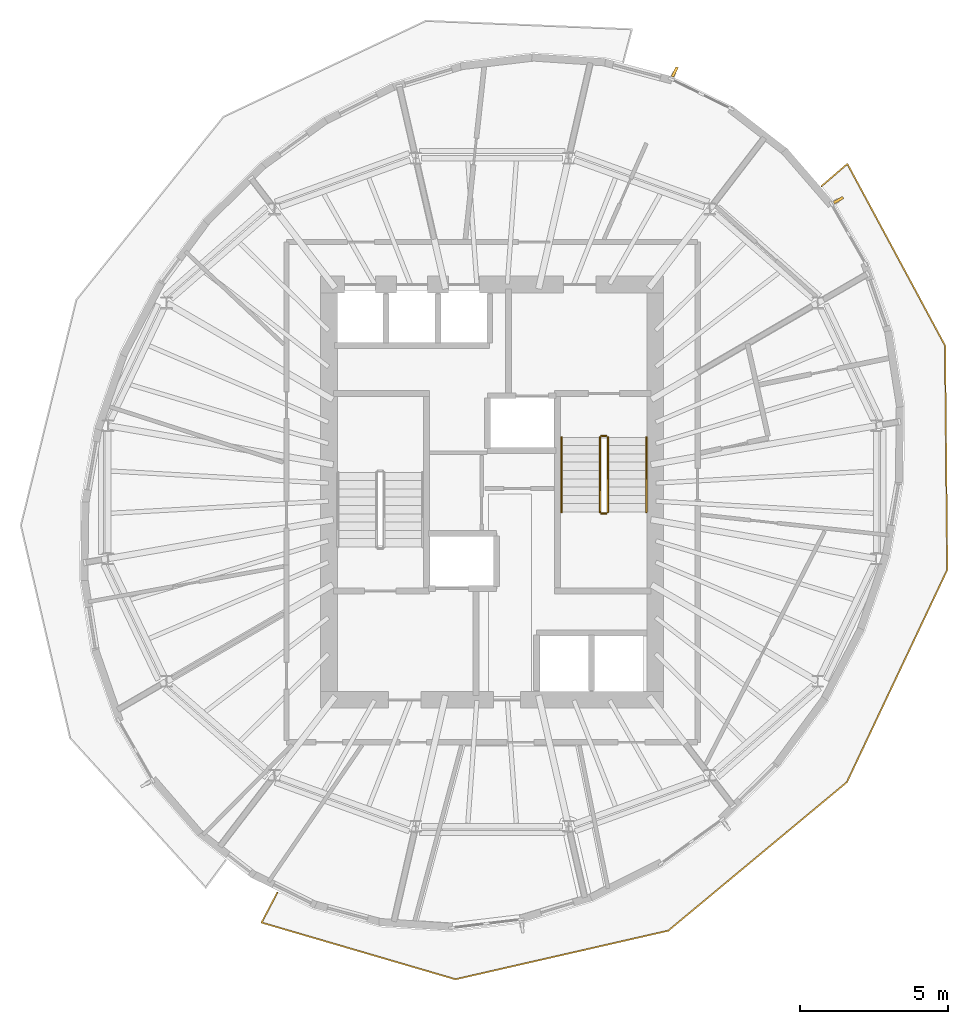
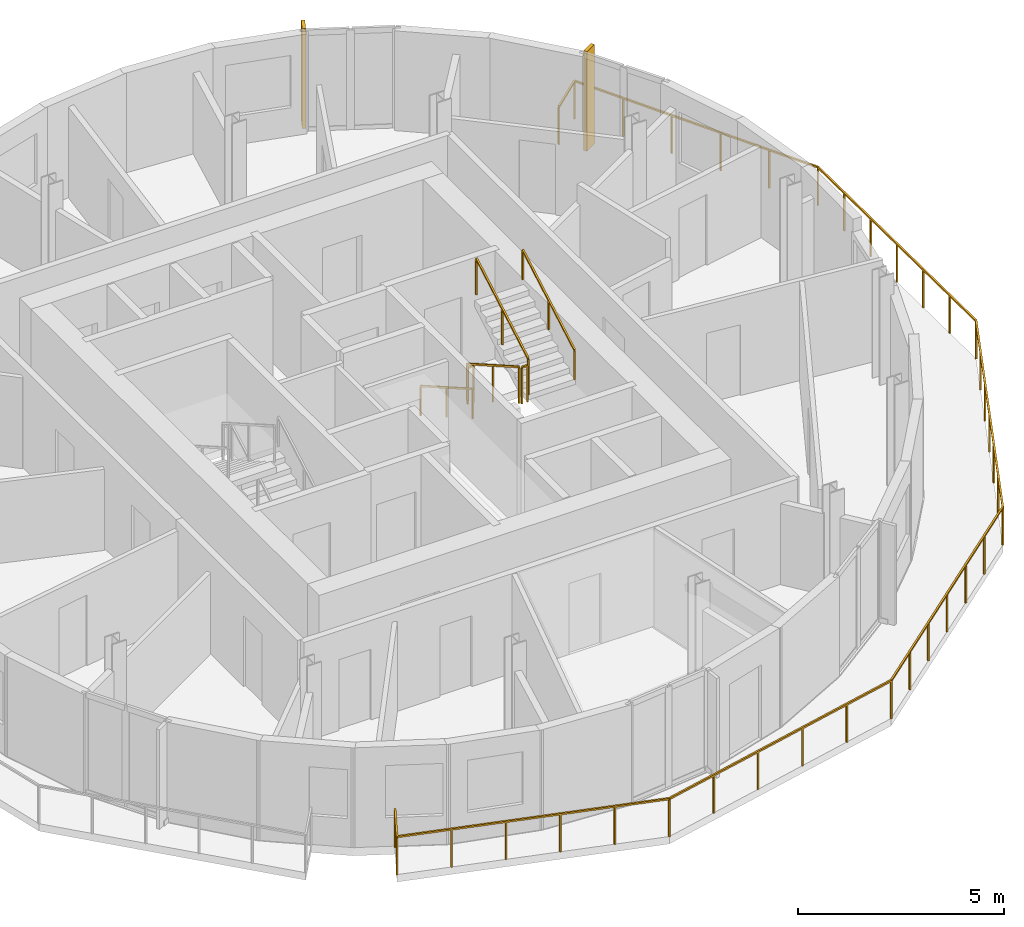
# One storey, part 9 of 9: 7 railings, 2 shading devices.
"""IFC4 building model written with IfcOpenShell, lengths in metres."""

from ifc_helpers import new_model, si_unit, direction, frame, origin, origin_2d, place, context, subcontext, project, spatial, rectangle, extrude, material, layer, layer_set, type_object, element, save


model = new_model("IFC4")

# Units and contexts
model_context = context("Model", 3, precision=1e-05, world=origin(), true_north=direction((0.0, 1.0)))
body_context = subcontext(model_context, "Body", "Model", "MODEL_VIEW")
ifc_project = project(units=[si_unit("LENGTHUNIT", "METRE"), si_unit("AREAUNIT", "SQUARE_METRE"), si_unit("VOLUMEUNIT", "CUBIC_METRE"), si_unit("PLANEANGLEUNIT", "RADIAN"), si_unit("MASSUNIT", "GRAM", prefix="KILO")], contexts=[model_context])

# Site, building, storey
site_placement = place(None, origin())
site = spatial("IfcSite", under=ifc_project, at=site_placement, CompositionType="ELEMENT")
building_placement = place(site_placement, origin())
building = spatial("IfcBuilding", under=site, at=building_placement, Name="Veldorim Arch Residences", CompositionType="ELEMENT")
storey_placement = place(building_placement, frame((0.0, 0.0, 233.43994140625)))
storey = spatial("IfcBuildingStorey", under=building, at=storey_placement, Name="L70", CompositionType="ELEMENT", Elevation=233.43994140625)

# Railings
ifc_material_1 = material(Name="Aluminium", Category="aluminium")
railing_type_1 = type_object("IfcRailingType", Name="Balcony & Terrace Laminated Glass Balustrade 1150", PredefinedType="BALUSTRADE", material=ifc_material_1)
railing_1_placement = place(storey_placement, frame((24.762939453125, 10.509765625, 0.0)))
element("IfcRailing", 1, at=railing_1_placement, inside=storey, type_object=railing_type_1, Name="L70 crescent balcony safety balustrade B", PredefinedType="BALUSTRADE", context=body_context, shape_type="SweptSolid", body=[
    extrude(rectangle(XDim=0.048095703125, YDim=0.048095703125, at=origin_2d()), frame((0.0, 0.0, 1.1259765625), z_axis=(-0.463864199594, -0.885906318035, 0.0), x_axis=(0.885906318035, -0.463864199594, 0.0)), (0.0, 0.0, 1.0), 1.14990234375),
    extrude(rectangle(XDim=0.048095703125, YDim=0.048095703125, at=origin_2d()), frame((-0.533447265625, -1.018798828125, 1.1259765625), z_axis=(0.959790908213, -0.280715892872, 0.0), x_axis=(0.280715892872, 0.959790908213, 0.0)), (0.0, 0.0, 1.0), 6.808837890625),
    extrude(rectangle(XDim=0.048095703125, YDim=0.048095703125, at=origin_2d()), frame((6.001708984375, -2.93017578125, 1.1259765625), z_axis=(0.974894330138, 0.222668015359, 0.0), x_axis=(-0.222668015359, 0.974894330138, 0.0)), (0.0, 0.0, 1.0), 7.357177734375),
    extrude(rectangle(XDim=0.048095703125, YDim=0.048095703125, at=origin_2d()), frame((13.174072265625, -1.2919921875, 1.1259765625), z_axis=(0.768984766623, 0.639267102784, 0.0), x_axis=(-0.639267102784, 0.768984766623, 0.0)), (0.0, 0.0, 1.0), 7.831298828125),
    extrude(rectangle(XDim=0.048095703125, YDim=0.048095703125, at=origin_2d()), frame((19.1962890625, 3.71435546875, 1.1259765625), z_axis=(0.427261869219, 0.904127919661, 0.0), x_axis=(-0.904127919661, 0.427261869219, 0.0)), (0.0, 0.0, 1.0), 7.919189453125),
    extrude(rectangle(XDim=0.048095703125, YDim=0.048095703125, at=origin_2d()), frame((22.579833984375, 10.874267578125, 1.1259765625), z_axis=(-0.009823407069, 0.999951749173, 0.0), x_axis=(-0.999951749173, -0.009823407069, 0.0)), (0.0, 0.0, 1.0), 7.55517578125),
    extrude(rectangle(XDim=0.048095703125, YDim=0.048095703125, at=origin_2d()), frame((22.505615234375, 18.42919921875, 1.1259765625), z_axis=(-0.473522077571, 0.880781949209, 0.0), x_axis=(-0.880781949209, -0.473522077571, 0.0)), (0.0, 0.0, 1.0), 6.956298828125),
    extrude(rectangle(XDim=0.048095703125, YDim=0.048095703125, at=origin_2d()), frame((19.211669921875, 24.55615234375, 1.1259765625), z_axis=(-0.757500465895, -0.652834622373, 0.0), x_axis=(0.652834622373, -0.757500465895, 0.0)), (0.0, 0.0, 1.0), 1.14990234375),
    extrude(rectangle(XDim=0.0419921875, YDim=0.0419921875, at=origin_2d()), origin(), (0.0, 0.0, 1.0), 1.101806640625),
    extrude(rectangle(XDim=0.0419921875, YDim=0.0419921875, at=origin_2d()), frame((-0.533447265625, -1.018798828125, 0.0)), (0.0, 0.0, 1.0), 1.101806640625),
    extrude(rectangle(XDim=0.0419921875, YDim=0.0419921875, at=origin_2d()), frame((0.773681640625, -1.401123046875, 0.0)), (0.0, 0.0, 1.0), 1.101806640625),
    extrude(rectangle(XDim=0.0419921875, YDim=0.0419921875, at=origin_2d()), frame((2.08056640625, -1.783447265625, 0.0)), (0.0, 0.0, 1.0), 1.101806640625),
    extrude(rectangle(XDim=0.0419921875, YDim=0.0419921875, at=origin_2d()), frame((3.3876953125, -2.16552734375, 0.0)), (0.0, 0.0, 1.0), 1.101806640625),
    extrude(rectangle(XDim=0.0419921875, YDim=0.0419921875, at=origin_2d()), frame((4.694580078125, -2.5478515625, 0.0)), (0.0, 0.0, 1.0), 1.101806640625),
    extrude(rectangle(XDim=0.0419921875, YDim=0.0419921875, at=origin_2d()), frame((6.001708984375, -2.93017578125, 0.0)), (0.0, 0.0, 1.0), 1.101806640625),
    extrude(rectangle(XDim=0.0419921875, YDim=0.0419921875, at=origin_2d()), frame((7.436279296875, -2.6025390625, 0.0)), (0.0, 0.0, 1.0), 1.101806640625),
    extrude(rectangle(XDim=0.0419921875, YDim=0.0419921875, at=origin_2d()), frame((8.87060546875, -2.27490234375, 0.0)), (0.0, 0.0, 1.0), 1.101806640625),
    extrude(rectangle(XDim=0.0419921875, YDim=0.0419921875, at=origin_2d()), frame((10.30517578125, -1.947265625, 0.0)), (0.0, 0.0, 1.0), 1.101806640625),
    extrude(rectangle(XDim=0.0419921875, YDim=0.0419921875, at=origin_2d()), frame((11.739501953125, -1.61962890625, 0.0)), (0.0, 0.0, 1.0), 1.101806640625),
    extrude(rectangle(XDim=0.0419921875, YDim=0.0419921875, at=origin_2d()), frame((13.174072265625, -1.2919921875, 0.0)), (0.0, 0.0, 1.0), 1.101806640625),
    extrude(rectangle(XDim=0.0419921875, YDim=0.0419921875, at=origin_2d()), frame((14.177734375, -0.45751953125, 0.0)), (0.0, 0.0, 1.0), 1.101806640625),
    extrude(rectangle(XDim=0.0419921875, YDim=0.0419921875, at=origin_2d()), frame((15.181396484375, 0.376708984375, 0.0)), (0.0, 0.0, 1.0), 1.101806640625),
    extrude(rectangle(XDim=0.0419921875, YDim=0.0419921875, at=origin_2d()), frame((16.18505859375, 1.211181640625, 0.0)), (0.0, 0.0, 1.0), 1.101806640625),
    extrude(rectangle(XDim=0.0419921875, YDim=0.0419921875, at=origin_2d()), frame((17.18896484375, 2.045654296875, 0.0)), (0.0, 0.0, 1.0), 1.101806640625),
    extrude(rectangle(XDim=0.0419921875, YDim=0.0419921875, at=origin_2d()), frame((18.192626953125, 2.8798828125, 0.0)), (0.0, 0.0, 1.0), 1.101806640625),
    extrude(rectangle(XDim=0.0419921875, YDim=0.0419921875, at=origin_2d()), frame((19.1962890625, 3.71435546875, 0.0)), (0.0, 0.0, 1.0), 1.101806640625),
    extrude(rectangle(XDim=0.0419921875, YDim=0.0419921875, at=origin_2d()), frame((19.76025390625, 4.90771484375, 0.0)), (0.0, 0.0, 1.0), 1.101806640625),
    extrude(rectangle(XDim=0.0419921875, YDim=0.0419921875, at=origin_2d()), frame((20.32421875, 6.10107421875, 0.0)), (0.0, 0.0, 1.0), 1.101806640625),
    extrude(rectangle(XDim=0.0419921875, YDim=0.0419921875, at=origin_2d()), frame((20.88818359375, 7.29443359375, 0.0)), (0.0, 0.0, 1.0), 1.101806640625),
    extrude(rectangle(XDim=0.0419921875, YDim=0.0419921875, at=origin_2d()), frame((21.451904296875, 8.487548828125, 0.0)), (0.0, 0.0, 1.0), 1.101806640625),
    extrude(rectangle(XDim=0.0419921875, YDim=0.0419921875, at=origin_2d()), frame((22.015869140625, 9.680908203125, 0.0)), (0.0, 0.0, 1.0), 1.101806640625),
    extrude(rectangle(XDim=0.0419921875, YDim=0.0419921875, at=origin_2d()), frame((22.579833984375, 10.874267578125, 0.0)), (0.0, 0.0, 1.0), 1.101806640625),
    extrude(rectangle(XDim=0.0419921875, YDim=0.0419921875, at=origin_2d()), frame((22.5673828125, 12.13330078125, 0.0)), (0.0, 0.0, 1.0), 1.101806640625),
    extrude(rectangle(XDim=0.0419921875, YDim=0.0419921875, at=origin_2d()), frame((22.55517578125, 13.392578125, 0.0)), (0.0, 0.0, 1.0), 1.101806640625),
    extrude(rectangle(XDim=0.0419921875, YDim=0.0419921875, at=origin_2d()), frame((22.542724609375, 14.65185546875, 0.0)), (0.0, 0.0, 1.0), 1.101806640625),
    extrude(rectangle(XDim=0.0419921875, YDim=0.0419921875, at=origin_2d()), frame((22.5302734375, 15.910888671875, 0.0)), (0.0, 0.0, 1.0), 1.101806640625),
    extrude(rectangle(XDim=0.0419921875, YDim=0.0419921875, at=origin_2d()), frame((22.51806640625, 17.169921875, 0.0)), (0.0, 0.0, 1.0), 1.101806640625),
    extrude(rectangle(XDim=0.0419921875, YDim=0.0419921875, at=origin_2d()), frame((22.505615234375, 18.42919921875, 0.0)), (0.0, 0.0, 1.0), 1.101806640625),
    extrude(rectangle(XDim=0.0419921875, YDim=0.0419921875, at=origin_2d()), frame((21.846923828125, 19.654541015625, 0.0)), (0.0, 0.0, 1.0), 1.101806640625),
    extrude(rectangle(XDim=0.0419921875, YDim=0.0419921875, at=origin_2d()), frame((21.18798828125, 20.8798828125, 0.0)), (0.0, 0.0, 1.0), 1.101806640625),
    extrude(rectangle(XDim=0.0419921875, YDim=0.0419921875, at=origin_2d()), frame((20.529296875, 22.10546875, 0.0)), (0.0, 0.0, 1.0), 1.101806640625),
    extrude(rectangle(XDim=0.0419921875, YDim=0.0419921875, at=origin_2d()), frame((19.870361328125, 23.330810546875, 0.0)), (0.0, 0.0, 1.0), 1.101806640625),
    extrude(rectangle(XDim=0.0419921875, YDim=0.0419921875, at=origin_2d()), frame((19.211669921875, 24.55615234375, 0.0)), (0.0, 0.0, 1.0), 1.101806640625),
    extrude(rectangle(XDim=0.0419921875, YDim=0.0419921875, at=origin_2d()), frame((18.340576171875, 23.805419921875, 0.0)), (0.0, 0.0, 1.0), 1.101806640625),
])
ifc_material_2 = material(Name="Steel S355", Category="steel")
railing_type_2 = type_object("IfcRailingType", Name="Galvanised Steel Stair Safety Guardrail 1100", PredefinedType="GUARDRAIL", material=ifc_material_2)
railing_2_placement = place(storey_placement, frame((35.639892578125, 25.85009765625, 0.16015625)))
element("IfcRailing", 2, at=railing_2_placement, inside=storey, type_object=railing_type_2, Name="L70 ST-2 stair guard 1", PredefinedType="GUARDRAIL", context=body_context, shape_type="SweptSolid", body=[
    extrude(rectangle(XDim=0.048095703125, YDim=0.048095703125, at=origin_2d()), frame((0.0, 0.0, 1.076171875), z_axis=(0.0, -0.868253494771, 0.496120820787), x_axis=(1.0, 0.0, 0.0)), (0.0, 0.0, 1.0), 2.90234375),
    extrude(rectangle(XDim=0.0419921875, YDim=0.0419921875, at=origin_2d()), origin(), (0.0, 0.0, 1.0), 1.052001953125),
    extrude(rectangle(XDim=0.0419921875, YDim=0.0419921875, at=origin_2d()), frame((0.0, -1.260009765625, 0.719970703125)), (0.0, 0.0, 1.0), 1.052001953125),
    extrude(rectangle(XDim=0.0419921875, YDim=0.0419921875, at=origin_2d()), frame((0.0, -2.52001953125, 1.43994140625)), (0.0, 0.0, 1.0), 1.052001953125),
])
railing_3_placement = place(storey_placement, frame((35.68994140625, 23.280029296875, 1.60009765625)))
element("IfcRailing", 3, at=railing_3_placement, inside=storey, type_object=railing_type_2, Name="L70 ST-2 stair guard 2", PredefinedType="GUARDRAIL", context=body_context, shape_type="SweptSolid", body=[
    extrude(rectangle(XDim=0.048095703125, YDim=0.048095703125, at=origin_2d()), frame((0.0, 0.0, 1.076171875), z_axis=(1.0, 0.0, 0.0), x_axis=(0.0, 1.0, 0.0)), (0.0, 0.0, 1.0), 0.16015625),
    extrude(rectangle(XDim=0.0419921875, YDim=0.0419921875, at=origin_2d()), origin(), (0.0, 0.0, 1.0), 1.052001953125),
    extrude(rectangle(XDim=0.0419921875, YDim=0.0419921875, at=origin_2d()), frame((0.16015625, 0.0, 0.0)), (0.0, 0.0, 1.0), 1.052001953125),
])
railing_4_placement = place(storey_placement, frame((35.89990234375, 23.330078125, 1.760009765625)))
element("IfcRailing", 4, at=railing_4_placement, inside=storey, type_object=railing_type_2, Name="L70 ST-2 stair guard 3", PredefinedType="GUARDRAIL", context=body_context, shape_type="SweptSolid", body=[
    extrude(rectangle(XDim=0.048095703125, YDim=0.048095703125, at=origin_2d()), frame((0.0, 0.0, 1.076171875), z_axis=(0.0, 0.868253494771, 0.496120820787), x_axis=(-1.0, 0.0, 0.0)), (0.0, 0.0, 1.0), 2.90234375),
    extrude(rectangle(XDim=0.0419921875, YDim=0.0419921875, at=origin_2d()), origin(), (0.0, 0.0, 1.0), 1.052001953125),
    extrude(rectangle(XDim=0.0419921875, YDim=0.0419921875, at=origin_2d()), frame((0.0, 1.260009765625, 0.719970703125)), (0.0, 0.0, 1.0), 1.052001953125),
    extrude(rectangle(XDim=0.0419921875, YDim=0.0419921875, at=origin_2d()), frame((0.0, 2.52001953125, 1.43994140625)), (0.0, 0.0, 1.0), 1.052001953125),
])
railing_5_placement = place(storey_placement, frame((35.68994140625, 25.89990234375, 0.0)))
element("IfcRailing", 5, at=railing_5_placement, inside=storey, type_object=railing_type_2, Name="L70 ST-2 stair guard 4", PredefinedType="GUARDRAIL", context=body_context, shape_type="SweptSolid", body=[
    extrude(rectangle(XDim=0.048095703125, YDim=0.048095703125, at=origin_2d()), frame((0.0, 0.0, 1.076171875), z_axis=(1.0, 0.0, 0.0), x_axis=(0.0, 1.0, 0.0)), (0.0, 0.0, 1.0), 0.16015625),
    extrude(rectangle(XDim=0.0419921875, YDim=0.0419921875, at=origin_2d()), origin(), (0.0, 0.0, 1.0), 1.052001953125),
    extrude(rectangle(XDim=0.0419921875, YDim=0.0419921875, at=origin_2d()), frame((0.16015625, 0.0, 0.0)), (0.0, 0.0, 1.0), 1.052001953125),
])
ifc_material_3 = material(Name="Stainless Steel", Category="steel")
railing_type_3 = type_object("IfcRailingType", Name="Tubular Steel Continuous Wall Handrail 900", PredefinedType="HANDRAIL", material=ifc_material_3)
railing_6_placement = place(storey_placement, frame((34.340087890625, 25.85009765625, 0.16015625)))
element("IfcRailing", 6, at=railing_6_placement, inside=storey, type_object=railing_type_3, Name="L70 ST-2 stair handrail 1", PredefinedType="HANDRAIL", context=body_context, shape_type="SweptSolid", body=[
    extrude(rectangle(XDim=0.048095703125, YDim=0.048095703125, at=origin_2d()), frame((0.0, 0.0, 0.8759765625), z_axis=(0.0, -0.868253494771, 0.496120820787), x_axis=(1.0, 0.0, 0.0)), (0.0, 0.0, 1.0), 2.90234375),
    extrude(rectangle(XDim=0.0419921875, YDim=0.0419921875, at=origin_2d()), origin(), (0.0, 0.0, 1.0), 0.851806640625),
    extrude(rectangle(XDim=0.0419921875, YDim=0.0419921875, at=origin_2d()), frame((0.0, -1.260009765625, 0.719970703125)), (0.0, 0.0, 1.0), 0.851806640625),
    extrude(rectangle(XDim=0.0419921875, YDim=0.0419921875, at=origin_2d()), frame((0.0, -2.52001953125, 1.43994140625)), (0.0, 0.0, 1.0), 0.851806640625),
])
railing_7_placement = place(storey_placement, frame((37.199951171875, 23.330078125, 1.760009765625)))
element("IfcRailing", 7, at=railing_7_placement, inside=storey, type_object=railing_type_3, Name="L70 ST-2 stair handrail 2", PredefinedType="HANDRAIL", context=body_context, shape_type="SweptSolid", body=[
    extrude(rectangle(XDim=0.048095703125, YDim=0.048095703125, at=origin_2d()), frame((0.0, 0.0, 0.8759765625), z_axis=(0.0, 0.868253494771, 0.496120820787), x_axis=(-1.0, 0.0, 0.0)), (0.0, 0.0, 1.0), 2.90234375),
    extrude(rectangle(XDim=0.0419921875, YDim=0.0419921875, at=origin_2d()), origin(), (0.0, 0.0, 1.0), 0.851806640625),
    extrude(rectangle(XDim=0.0419921875, YDim=0.0419921875, at=origin_2d()), frame((0.0, 1.260009765625, 0.719970703125)), (0.0, 0.0, 1.0), 0.851806640625),
    extrude(rectangle(XDim=0.0419921875, YDim=0.0419921875, at=origin_2d()), frame((0.0, 2.52001953125, 1.43994140625)), (0.0, 0.0, 1.0), 0.851806640625),
])

# Shading devices
ifc_material_4 = material(Name="Terracotta Ceramic", Category="masonry")
ifc_layer = layer(ifc_material_4, 0.090087890625, Name="Vertical Extruded Terracotta Baguette Sun-Shading Fin")
ifc_layer_set = layer_set([ifc_layer], Name="Terracotta Ceramic")
shading_device_type = type_object("IfcShadingDeviceType", Name="Vertical Extruded Terracotta Baguette Sun-Shading Fin", PredefinedType="USERDEFINED", material=ifc_layer_set)
for number, where, z_axis, x_axis, name in (
    (8, (38.15771484375, 38.1630859375, 0.0), (0.0, 0.0, 1.0), (0.89656374724, -0.442914717678, 0.0), "L70 vertical terracotta sun-shading fin 01"),
    (9, (43.67626953125, 33.844482421875, 0.0), (0.0, 0.0, 1.0), (0.496216503675, -0.868198814489, 0.0), "L70 vertical terracotta sun-shading fin 34"),
):
    element("IfcShadingDevice", number, at=place(storey_placement, frame(where, z_axis=z_axis, x_axis=x_axis)), inside=storey, type_object=shading_device_type, Name=name, ObjectType="FIN", PredefinedType="USERDEFINED", context=body_context, shape_type="SweptSolid", body=[
        extrude(rectangle(XDim=0.090087890625, YDim=0.360107421875, at=origin_2d()), origin(), (0.0, 0.0, 1.0), 2.9599609375),
    ])

save(model, "model.ifc")
